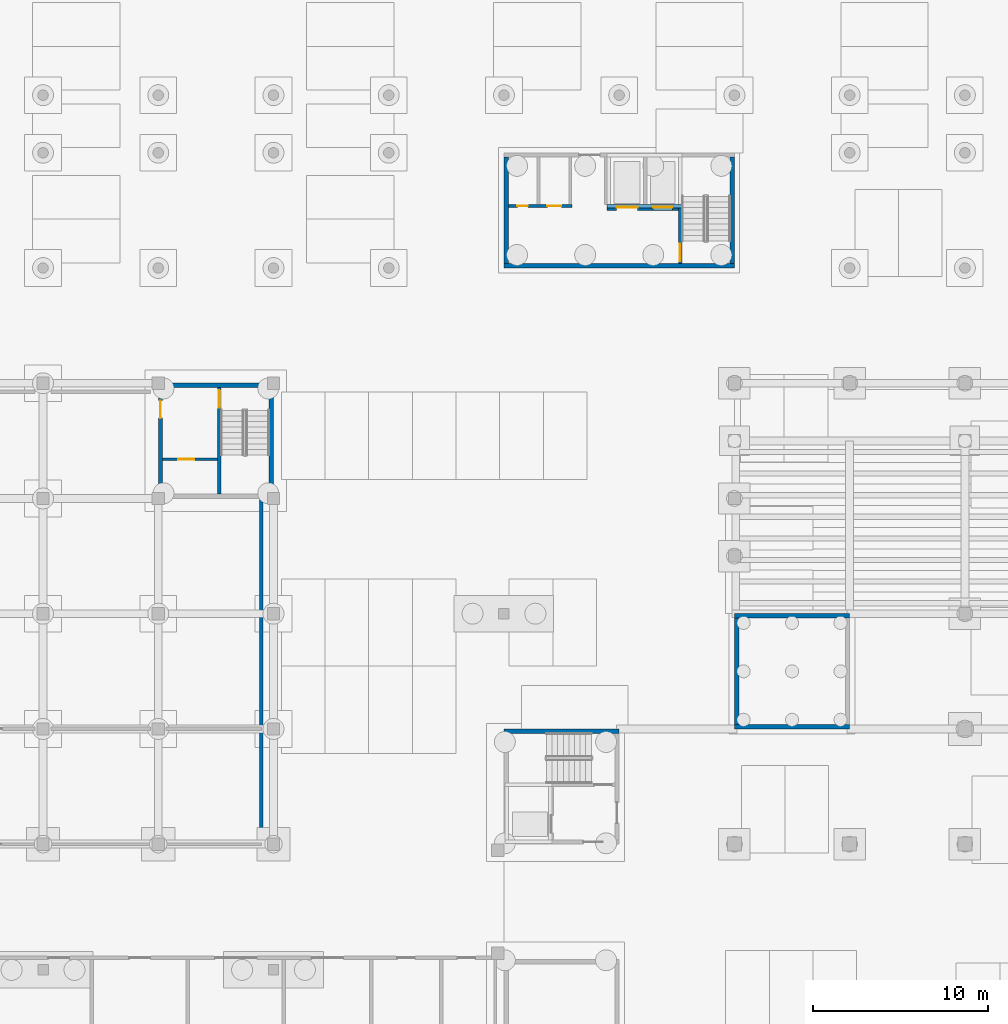
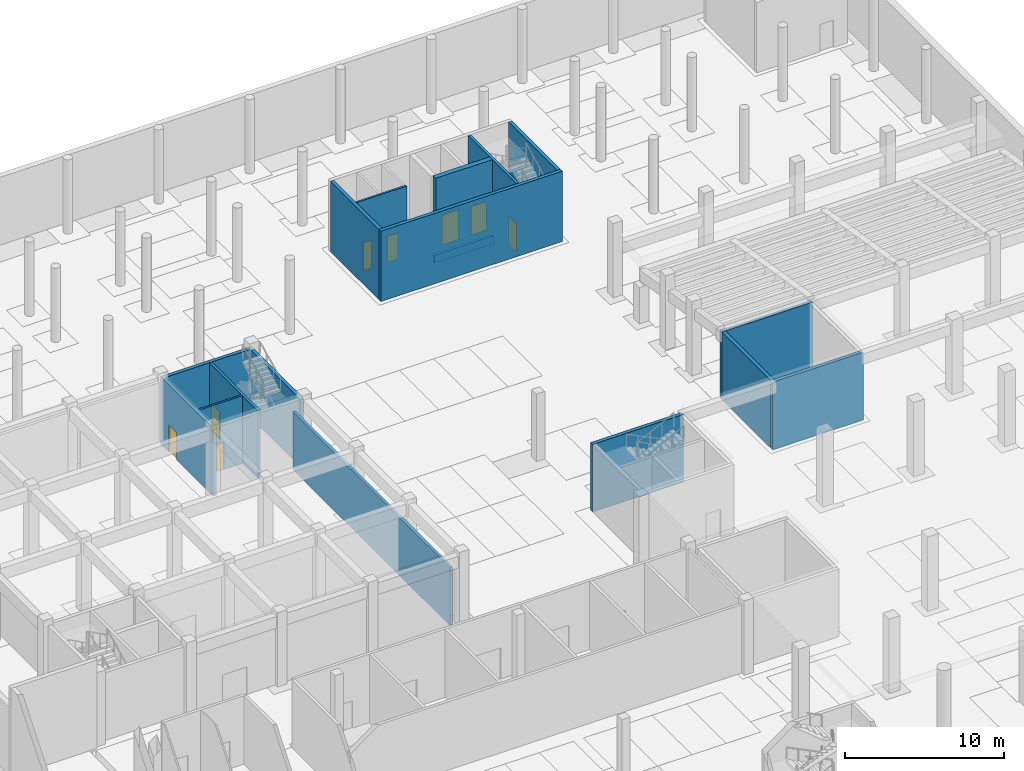
# One storey, part 16 of 38: 17 walls, 8 doors, 8 openings.
"""IFC4 building model written with IfcOpenShell, lengths in metres."""

from ifc_helpers import new_model, si_unit, direction, frame, frame_2d, origin, place, context, subcontext, project, spatial, rectangle, extrude, material, layer, layer_set, type_object, element, fill, save


model = new_model("IFC4")

# Units and contexts
model_context = context("Model", 3, precision=1e-05, world=origin(), true_north=direction((0.0, 1.0)))
body_context = subcontext(model_context, "Body", "Model", "MODEL_VIEW")
ifc_project = project(units=[si_unit("LENGTHUNIT", "METRE"), si_unit("AREAUNIT", "SQUARE_METRE"), si_unit("VOLUMEUNIT", "CUBIC_METRE"), si_unit("PLANEANGLEUNIT", "RADIAN"), si_unit("MASSUNIT", "GRAM", prefix="KILO")], contexts=[model_context])

# Site, building, storey
site_placement = place(None, origin())
site = spatial("IfcSite", under=ifc_project, at=site_placement, CompositionType="ELEMENT")
building_placement = place(site_placement, origin())
building = spatial("IfcBuilding", under=site, at=building_placement, Name="Lantern Court Research Institute", CompositionType="ELEMENT")
storey_placement = place(building_placement, frame((0.0, 0.0, -5.699951171875)))
storey = spatial("IfcBuildingStorey", under=building, at=storey_placement, Name="B1", CompositionType="ELEMENT", Elevation=-5.699951171875)

# Walls
ifc_material_1 = material(Name="Masonry blockwork 7 N/mm2", Category="masonry")
ifc_layer_1 = layer(ifc_material_1, 0.199951171875)
ifc_layer_set_1 = layer_set([ifc_layer_1], Name="Masonry blockwork 7 N/mm2")
wall_type_1 = type_object("IfcWallType", Name="Fire compartment wall 200 EI 120", PredefinedType="PARTITIONING", material=ifc_layer_set_1)
wall_1_placement = place(storey_placement, frame((25.699951171875, 49.574951171875, 0.0), z_axis=(0.0, 0.0, 1.0), x_axis=(0.0, 1.0, 0.0)))
element("IfcWall", 1, at=wall_1_placement, inside=storey, type_object=wall_type_1, Name="PT38", PredefinedType="PARTITIONING", context=body_context, shape_type="SweptSolid", body=[
    extrude(rectangle(XDim=19.72509765625, YDim=0.199951171875, at=frame_2d((9.862548828125, 0.0))), origin(), (0.0, 0.0, 1.0), 4.449951171875),
])
ifc_material_2 = material(Name="Concrete C40/50", Category="concrete")
ifc_layer_2 = layer(ifc_material_2, 0.25)
ifc_layer_set_2 = layer_set([ifc_layer_2], Name="Concrete C40/50")
wall_type_2 = type_object("IfcWallType", Name="RC core wall 250", PredefinedType="SHEAR", material=ifc_layer_set_2)
wall_2_placement = place(storey_placement, frame((52.800048828125, 82.625, 0.0), z_axis=(0.0, 0.0, 1.0), x_axis=(-1.0, 0.0, 0.0)))
element("IfcWall", 2, at=wall_2_placement, inside=storey, type_object=wall_type_2, Name="South wall of core WC-M", PredefinedType="SHEAR", context=body_context, shape_type="SweptSolid", body=[
    extrude(rectangle(XDim=13.199951171875, YDim=0.25, at=frame_2d((6.60009765625, 0.0))), origin(), (0.0, 0.0, 1.0), 5.39990234375),
])
for number, where, z_axis, x_axis, name in (
    (3, (52.675048828125, 88.85009765625, 0.0), (0.0, 0.0, 1.0), (0.0, -1.0, 0.0), "East wall of core WC-M"),
    (4, (39.72509765625, 88.85009765625, 0.0), (0.0, 0.0, 1.0), (0.0, -1.0, 0.0), "West wall of core WC-M"),
):
    element("IfcWall", number, at=place(storey_placement, frame(where, z_axis=z_axis, x_axis=x_axis)), inside=storey, type_object=wall_type_2, Name=name, PredefinedType="SHEAR", context=body_context, shape_type="SweptSolid", body=[
        extrude(rectangle(XDim=6.10009765625, YDim=0.25, at=frame_2d((3.050048828125, 0.0))), origin(), (0.0, 0.0, 1.0), 5.39990234375),
    ])

# Wall, opening, door
wall_3_placement = place(storey_placement, frame((19.925048828125, 75.89990234375, 0.0), z_axis=(0.0, 0.0, 1.0), x_axis=(0.0, -1.0, 0.0)))
wall_3 = element("IfcWall", 5, at=wall_3_placement, inside=storey, type_object=wall_type_2, Name="West wall of core CC-B", PredefinedType="SHEAR", context=body_context, shape_type="SweptSolid", body=[
    extrude(rectangle(XDim=6.599853515625, YDim=0.25, at=frame_2d((3.2998046875, 0.0))), origin(), (0.0, 0.0, 1.0), 5.199951171875),
])
opening_1_placement = place(wall_3_placement, frame((1.0, 0.0, 0.0)))
opening_1 = element("IfcOpeningElement", 6, at=opening_1_placement, cuts=wall_3, Name="Opening D7287", PredefinedType="OPENING", context=body_context, shape_type="SweptSolid", body=[
    extrude(rectangle(XDim=1.0, YDim=2.10009765625, at=frame_2d((0.5, 1.050048828125))), frame((0.0, 0.135009765625, 0.0), z_axis=(0.0, -1.0, 0.0), x_axis=(1.0, 0.0, 0.0)), (0.0, 0.0, 1.0), 0.27001953125),
])
ifc_material_3 = material(Name="Steel fire door leaf with smoke seals", Category="steel")
door_type_1 = type_object("IfcDoorType", Name="Door 1000 x 2100 fire rated FD60S", OperationType="NOTDEFINED", PredefinedType="DOOR", material=ifc_material_3)
door_1_placement = place(opening_1_placement, origin())
door_1 = element("IfcDoor", 7, at=door_1_placement, inside=storey, type_object=door_type_1, Name="Lobby door", OperationType="SINGLE_SWING_RIGHT", OverallHeight=2.10009765625, OverallWidth=1.0, PredefinedType="DOOR", context=body_context, shape_type="SweptSolid", body=[
    extrude(rectangle(XDim=1.0, YDim=2.10009765625, at=frame_2d((0.5, 1.050048828125))), frame((0.0, 0.02490234375, 0.0), z_axis=(0.0, -1.0, 0.0), x_axis=(1.0, 0.0, 0.0)), (0.0, 0.0, 1.0), 0.050048828125),
])
fill(opening_1, door_1)

# Walls
wall_4_placement = place(storey_placement, frame((26.27490234375, 75.89990234375, 0.0), z_axis=(0.0, 0.0, 1.0), x_axis=(0.0, -1.0, 0.0)))
element("IfcWall", 8, at=wall_4_placement, inside=storey, type_object=wall_type_2, Name="East wall of core CC-B", PredefinedType="SHEAR", context=body_context, shape_type="SweptSolid", body=[
    extrude(rectangle(XDim=6.599853515625, YDim=0.25, at=frame_2d((3.2998046875, 0.0))), origin(), (0.0, 0.0, 1.0), 5.199951171875),
])
wall_5_placement = place(storey_placement, frame((20.050048828125, 75.77490234375, 0.0), z_axis=(0.0, 0.0, 1.0), x_axis=(1.0, 0.0, 0.0)))
element("IfcWall", 9, at=wall_5_placement, inside=storey, type_object=wall_type_2, Name="North wall of core CC-B", PredefinedType="SHEAR", context=body_context, shape_type="SweptSolid", body=[
    extrude(rectangle(XDim=6.099853515625, YDim=0.25, at=frame_2d((3.0498046875, 0.0))), origin(), (0.0, 0.0, 1.0), 5.199951171875),
])
for number, where, z_axis, x_axis, name in (
    (10, (39.60009765625, 55.97509765625, 0.0), (0.0, 0.0, 1.0), (1.0, 0.0, 0.0), "North wall of core HC-A"),
    (11, (52.800048828125, 56.22509765625, 0.0), (0.0, 0.0, 1.0), (1.0, 0.0, 0.0), "South wall of core TH-A"),
    (12, (52.800048828125, 62.574951171875, 0.0), (0.0, 0.0, 1.0), (1.0, 0.0, 0.0), "North wall of core TH-A"),
):
    element("IfcWall", number, at=place(storey_placement, frame(where, z_axis=z_axis, x_axis=x_axis)), inside=storey, type_object=wall_type_2, Name=name, PredefinedType="SHEAR", context=body_context, shape_type="SweptSolid", body=[
        extrude(rectangle(XDim=6.599853515625, YDim=0.25, at=frame_2d((3.2998046875, 0.0))), origin(), (0.0, 0.0, 1.0), 5.199951171875),
    ])
wall_6_placement = place(storey_placement, frame((52.925048828125, 56.35009765625, 0.0), z_axis=(0.0, 0.0, 1.0), x_axis=(0.0, 1.0, 0.0)))
element("IfcWall", 13, at=wall_6_placement, inside=storey, type_object=wall_type_2, Name="West wall of core TH-A", PredefinedType="SHEAR", context=body_context, shape_type="SweptSolid", body=[
    extrude(rectangle(XDim=6.099853515625, YDim=0.25, at=frame_2d((3.0498046875, 0.0))), origin(), (0.0, 0.0, 1.0), 5.199951171875),
])
ifc_material_4 = material(Name="Concrete C30/37", Category="concrete")
ifc_layer_3 = layer(ifc_material_4, 0.199951171875)
ifc_layer_set_3 = layer_set([ifc_layer_3], Name="Concrete C30/37")
wall_type_3 = type_object("IfcWallType", Name="RC lift pit wall 200", PredefinedType="SHEAR", material=ifc_layer_set_3)
wall_7_placement = place(storey_placement, frame((45.5, 86.050048828125, -1.199951171875), z_axis=(0.0, 0.0, 1.0), x_axis=(1.0, 0.0, 0.0)))
element("IfcWall", 14, at=wall_7_placement, inside=storey, type_object=wall_type_3, Name="Lift pit wall of core WC-M (south)", PredefinedType="SHEAR", context=body_context, shape_type="SweptSolid", body=[
    extrude(rectangle(XDim=4.300048828125, YDim=0.199951171875, at=frame_2d((2.14990234375, 0.0))), origin(), (0.0, 0.0, 1.0), 0.599853515625),
])

# Wall, openings, doors
ifc_material_5 = material(Name="Concrete C40/50", Category="concrete")
ifc_layer_4 = layer(ifc_material_5, 0.14990234375)
ifc_layer_set_4 = layer_set([ifc_layer_4], Name="Concrete C40/50")
wall_type_4 = type_object("IfcWallType", Name="RC shaft wall 150", PredefinedType="SHEAR", material=ifc_layer_set_4)
wall_8_placement = place(storey_placement, frame((43.5, 86.050048828125, 0.0), z_axis=(0.0, 0.0, 1.0), x_axis=(-1.0, 0.0, 0.0)))
wall_8 = element("IfcWall", 15, at=wall_8_placement, inside=storey, type_object=wall_type_4, Name="Riser wall of core WC-M", PredefinedType="SHEAR", context=body_context, shape_type="SweptSolid", body=[
    extrude(rectangle(XDim=3.64990234375, YDim=0.14990234375, at=frame_2d((1.824951171875, 0.0))), origin(), (0.0, 0.0, 1.0), 5.39990234375),
])
opening_2_placement = place(wall_8_placement, frame((0.612548828125, 0.0, 0.0)))
opening_2 = element("IfcOpeningElement", 16, at=opening_2_placement, cuts=wall_8, Name="Opening D7217", PredefinedType="OPENING", context=body_context, shape_type="SweptSolid", body=[
    extrude(rectangle(XDim=0.800048828125, YDim=2.0, at=frame_2d((0.39990234375, 1.0))), frame((0.0, 0.0849609375, 0.0), z_axis=(0.0, -1.0, 0.0), x_axis=(1.0, 0.0, 0.0)), (0.0, 0.0, 1.0), 0.169921875),
])
opening_3_placement = place(wall_8_placement, frame((2.53759765625, 0.0, 0.0)))
opening_3 = element("IfcOpeningElement", 17, at=opening_3_placement, cuts=wall_8, Name="Opening D7218", PredefinedType="OPENING", context=body_context, shape_type="SweptSolid", body=[
    extrude(rectangle(XDim=0.60009765625, YDim=2.10009765625, at=frame_2d((0.300048828125, 1.050048828125))), frame((0.0, 0.0849609375, 0.0), z_axis=(0.0, -1.0, 0.0), x_axis=(1.0, 0.0, 0.0)), (0.0, 0.0, 1.0), 0.169921875),
])
ifc_material_6 = material(Name="Steel fire door leaf", Category="steel")
door_type_2 = type_object("IfcDoorType", Name="Door 600 x 2100 fire rated FD60", OperationType="NOTDEFINED", PredefinedType="DOOR", material=ifc_material_6)
door_2_placement = place(opening_3_placement, origin())
door_2 = element("IfcDoor", 18, at=door_2_placement, inside=storey, type_object=door_type_2, Name="Riser door", OperationType="SINGLE_SWING_RIGHT", OverallHeight=2.10009765625, OverallWidth=0.60009765625, PredefinedType="DOOR", context=body_context, shape_type="SweptSolid", body=[
    extrude(rectangle(XDim=0.60009765625, YDim=2.10009765625, at=frame_2d((0.300048828125, 1.050048828125))), frame((0.0, 0.02490234375, 0.0), z_axis=(0.0, -1.0, 0.0), x_axis=(1.0, 0.0, 0.0)), (0.0, 0.0, 1.0), 0.050048828125),
])
fill(opening_3, door_2)
ifc_material_7 = material(Name="Steel fire door leaf", Category="steel")
door_type_3 = type_object("IfcDoorType", Name="Door 800 x 2000 fire rated FD60", OperationType="NOTDEFINED", PredefinedType="DOOR", material=ifc_material_7)
door_3_placement = place(opening_2_placement, origin())
door_3 = element("IfcDoor", 19, at=door_3_placement, inside=storey, type_object=door_type_3, Name="Riser door", OperationType="SINGLE_SWING_RIGHT", OverallHeight=2.0, OverallWidth=0.800048828125, PredefinedType="DOOR", context=body_context, shape_type="SweptSolid", body=[
    extrude(rectangle(XDim=0.800048828125, YDim=2.0, at=frame_2d((0.39990234375, 1.0))), frame((0.0, 0.02490234375, 0.0), z_axis=(0.0, -1.0, 0.0), x_axis=(1.0, 0.0, 0.0)), (0.0, 0.0, 1.0), 0.050048828125),
])
fill(opening_2, door_3)

# Wall, opening, door
wall_9_placement = place(storey_placement, frame((20.050048828125, 71.550048828125, 0.0), z_axis=(0.0, 0.0, 1.0), x_axis=(1.0, 0.0, 0.0)))
wall_9 = element("IfcWall", 20, at=wall_9_placement, inside=storey, type_object=wall_type_4, Name="Riser wall of core CC-B", PredefinedType="SHEAR", context=body_context, shape_type="SweptSolid", body=[
    extrude(rectangle(XDim=3.14990234375, YDim=0.14990234375, at=frame_2d((1.574951171875, 0.0))), origin(), (0.0, 0.0, 1.0), 5.199951171875),
])
opening_4_placement = place(wall_9_placement, frame((0.89990234375, 0.0, 0.0)))
opening_4 = element("IfcOpeningElement", 21, at=opening_4_placement, cuts=wall_9, Name="Opening D7286", PredefinedType="OPENING", context=body_context, shape_type="SweptSolid", body=[
    extrude(rectangle(XDim=0.89990234375, YDim=2.10009765625, at=frame_2d((0.449951171875, 1.050048828125))), frame((0.0, 0.0849609375, 0.0), z_axis=(0.0, -1.0, 0.0), x_axis=(1.0, 0.0, 0.0)), (0.0, 0.0, 1.0), 0.169921875),
])
ifc_material_8 = material(Name="Steel fire door leaf", Category="steel")
door_type_4 = type_object("IfcDoorType", Name="Door 900 x 2100 fire rated FD60", OperationType="NOTDEFINED", PredefinedType="DOOR", material=ifc_material_8)
door_4_placement = place(opening_4_placement, origin())
door_4 = element("IfcDoor", 22, at=door_4_placement, inside=storey, type_object=door_type_4, Name="Riser door", OperationType="SINGLE_SWING_RIGHT", OverallHeight=2.10009765625, OverallWidth=0.89990234375, PredefinedType="DOOR", context=body_context, shape_type="SweptSolid", body=[
    extrude(rectangle(XDim=0.89990234375, YDim=2.10009765625, at=frame_2d((0.449951171875, 1.050048828125))), frame((0.0, 0.02490234375, 0.0), z_axis=(0.0, -1.0, 0.0), x_axis=(1.0, 0.0, 0.0)), (0.0, 0.0, 1.0), 0.050048828125),
])
fill(opening_4, door_4)

ifc_material_9 = material(Name="Concrete C40/50", Category="concrete")
ifc_layer_5 = layer(ifc_material_9, 0.199951171875)
ifc_layer_set_5 = layer_set([ifc_layer_5], Name="Concrete C40/50")
wall_type_5 = type_object("IfcWallType", Name="RC shaft wall 200", PredefinedType="SHEAR", material=ifc_layer_set_5)
wall_10_placement = place(storey_placement, frame((49.699951171875, 88.85009765625, 0.0), z_axis=(0.0, 0.0, 1.0), x_axis=(0.0, -1.0, 0.0)))
wall_10 = element("IfcWall", 23, at=wall_10_placement, inside=storey, type_object=wall_type_5, Name="Stair wall of core WC-M", PredefinedType="SHEAR", context=body_context, shape_type="SweptSolid", body=[
    extrude(rectangle(XDim=6.10009765625, YDim=0.199951171875, at=frame_2d((3.050048828125, 0.0))), origin(), (0.0, 0.0, 1.0), 5.39990234375),
])
opening_5_placement = place(wall_10_placement, frame((4.949951171875, 0.0, 0.0)))
opening_5 = element("IfcOpeningElement", 24, at=opening_5_placement, cuts=wall_10, Name="Opening D7219", PredefinedType="OPENING", context=body_context, shape_type="SweptSolid", body=[
    extrude(rectangle(XDim=1.0, YDim=2.199951171875, at=frame_2d((0.5, 1.10009765625))), frame((0.0, 0.10986328125, 0.0), z_axis=(0.0, -1.0, 0.0), x_axis=(1.0, 0.0, 0.0)), (0.0, 0.0, 1.0), 0.219970703125),
])
ifc_material_10 = material(Name="Steel fire door leaf with smoke seals", Category="steel")
door_type_5 = type_object("IfcDoorType", Name="Door 1000 x 2200 fire rated FD60S", OperationType="NOTDEFINED", PredefinedType="DOOR", material=ifc_material_10)
door_5_placement = place(opening_5_placement, origin())
door_5 = element("IfcDoor", 25, at=door_5_placement, inside=storey, type_object=door_type_5, Name="Stair door", OperationType="SINGLE_SWING_LEFT", OverallHeight=2.199951171875, OverallWidth=1.0, PredefinedType="DOOR", context=body_context, shape_type="SweptSolid", body=[
    extrude(rectangle(XDim=1.0, YDim=2.199951171875, at=frame_2d((0.5, 1.10009765625))), frame((0.0, 0.02490234375, 0.0), z_axis=(0.0, -1.0, 0.0), x_axis=(1.0, 0.0, 0.0)), (0.0, 0.0, 1.0), 0.050048828125),
])
fill(opening_5, door_5)

wall_11_placement = place(storey_placement, frame((23.300048828125, 75.64990234375, 0.0), z_axis=(0.0, 0.0, 1.0), x_axis=(0.0, -1.0, 0.0)))
wall_11 = element("IfcWall", 26, at=wall_11_placement, inside=storey, type_object=wall_type_5, Name="Stair wall of core CC-B", PredefinedType="SHEAR", context=body_context, shape_type="SweptSolid", body=[
    extrude(rectangle(XDim=6.099853515625, YDim=0.199951171875, at=frame_2d((3.0498046875, 0.0))), origin(), (0.0, 0.0, 1.0), 5.199951171875),
])
opening_6_placement = place(wall_11_placement, frame((0.14990234375, 0.0, 0.0)))
opening_6 = element("IfcOpeningElement", 27, at=opening_6_placement, cuts=wall_11, Name="Opening D7288", PredefinedType="OPENING", context=body_context, shape_type="SweptSolid", body=[
    extrude(rectangle(XDim=1.0, YDim=2.10009765625, at=frame_2d((0.5, 1.050048828125))), frame((0.0, 0.10986328125, 0.0), z_axis=(0.0, -1.0, 0.0), x_axis=(1.0, 0.0, 0.0)), (0.0, 0.0, 1.0), 0.219970703125),
])
door_6_placement = place(opening_6_placement, origin())
door_6 = element("IfcDoor", 28, at=door_6_placement, inside=storey, type_object=door_type_1, Name="Stair door", OperationType="SINGLE_SWING_RIGHT", OverallHeight=2.10009765625, OverallWidth=1.0, PredefinedType="DOOR", context=body_context, shape_type="SweptSolid", body=[
    extrude(rectangle(XDim=1.0, YDim=2.10009765625, at=frame_2d((0.5, 1.050048828125))), frame((0.0, 0.02490234375, 0.0), z_axis=(0.0, -1.0, 0.0), x_axis=(1.0, 0.0, 0.0)), (0.0, 0.0, 1.0), 0.050048828125),
])
fill(opening_6, door_6)

# Wall, openings, doors
ifc_material_11 = material(Name="Concrete C40/50", Category="concrete")
ifc_layer_6 = layer(ifc_material_11, 0.35009765625)
ifc_layer_set_6 = layer_set([ifc_layer_6], Name="Concrete C40/50")
wall_type_6 = type_object("IfcWallType", Name="RC shaft wall 350", PredefinedType="SHEAR", material=ifc_layer_set_6)
wall_12_placement = place(storey_placement, frame((49.60009765625, 85.97509765625, 0.0), z_axis=(0.0, 0.0, 1.0), x_axis=(-1.0, 0.0, 0.0)))
wall_12 = element("IfcWall", 29, at=wall_12_placement, inside=storey, type_object=wall_type_6, Name="Lift shaft wall of core WC-M", PredefinedType="SHEAR", context=body_context, shape_type="SweptSolid", body=[
    extrude(rectangle(XDim=4.10009765625, YDim=0.35009765625, at=frame_2d((2.050048828125, 0.0))), origin(), (0.0, 0.0, 1.0), 5.39990234375),
])
opening_7_placement = place(wall_12_placement, frame((0.35009765625, 0.0, 0.0)))
opening_7 = element("IfcOpeningElement", 30, at=opening_7_placement, cuts=wall_12, Name="Opening D7220", PredefinedType="OPENING", context=body_context, shape_type="SweptSolid", body=[
    extrude(rectangle(XDim=1.10009765625, YDim=2.199951171875, at=frame_2d((0.550048828125, 1.10009765625))), frame((0.0, 0.18505859375, 0.0), z_axis=(0.0, -1.0, 0.0), x_axis=(1.0, 0.0, 0.0)), (0.0, 0.0, 1.0), 0.3701171875),
])
opening_8_placement = place(wall_12_placement, frame((2.35009765625, 0.0, 0.0)))
opening_8 = element("IfcOpeningElement", 31, at=opening_8_placement, cuts=wall_12, Name="Opening D7221", PredefinedType="OPENING", context=body_context, shape_type="SweptSolid", body=[
    extrude(rectangle(XDim=1.199951171875, YDim=2.300048828125, at=frame_2d((0.60009765625, 1.14990234375))), frame((0.0, 0.18505859375, 0.0), z_axis=(0.0, -1.0, 0.0), x_axis=(1.0, 0.0, 0.0)), (0.0, 0.0, 1.0), 0.3701171875),
])
ifc_material_12 = material(Name="Stainless steel landing door panels", Category="steel")
door_type_6 = type_object("IfcDoorType", Name="Lift landing door 1100 x 2200 sliding FD60", OperationType="DOUBLE_DOOR_SLIDING", PredefinedType="NOTDEFINED", material=ifc_material_12)
door_7_placement = place(opening_7_placement, origin())
door_7 = element("IfcDoor", 32, at=door_7_placement, inside=storey, type_object=door_type_6, Name="Landing door", OperationType="DOUBLE_DOOR_SLIDING", OverallHeight=2.199951171875, OverallWidth=1.10009765625, PredefinedType="NOTDEFINED", context=body_context, shape_type="SweptSolid", body=[
    extrude(rectangle(XDim=1.10009765625, YDim=2.199951171875, at=frame_2d((0.550048828125, 1.10009765625))), frame((0.0, 0.02490234375, 0.0), z_axis=(0.0, -1.0, 0.0), x_axis=(1.0, 0.0, 0.0)), (0.0, 0.0, 1.0), 0.050048828125),
])
fill(opening_7, door_7)
ifc_material_13 = material(Name="Stainless steel landing door panels", Category="steel")
door_type_7 = type_object("IfcDoorType", Name="Lift landing door 1200 x 2300 sliding FD60", OperationType="DOUBLE_DOOR_SLIDING", PredefinedType="NOTDEFINED", material=ifc_material_13)
door_8_placement = place(opening_8_placement, origin())
door_8 = element("IfcDoor", 33, at=door_8_placement, inside=storey, type_object=door_type_7, Name="Landing door", OperationType="DOUBLE_DOOR_SLIDING", OverallHeight=2.300048828125, OverallWidth=1.199951171875, PredefinedType="NOTDEFINED", context=body_context, shape_type="SweptSolid", body=[
    extrude(rectangle(XDim=1.199951171875, YDim=2.300048828125, at=frame_2d((0.60009765625, 1.14990234375))), frame((0.0, 0.02490234375, 0.0), z_axis=(0.0, -1.0, 0.0), x_axis=(1.0, 0.0, 0.0)), (0.0, 0.0, 1.0), 0.050048828125),
])
fill(opening_8, door_8)

save(model, "model.ifc")
